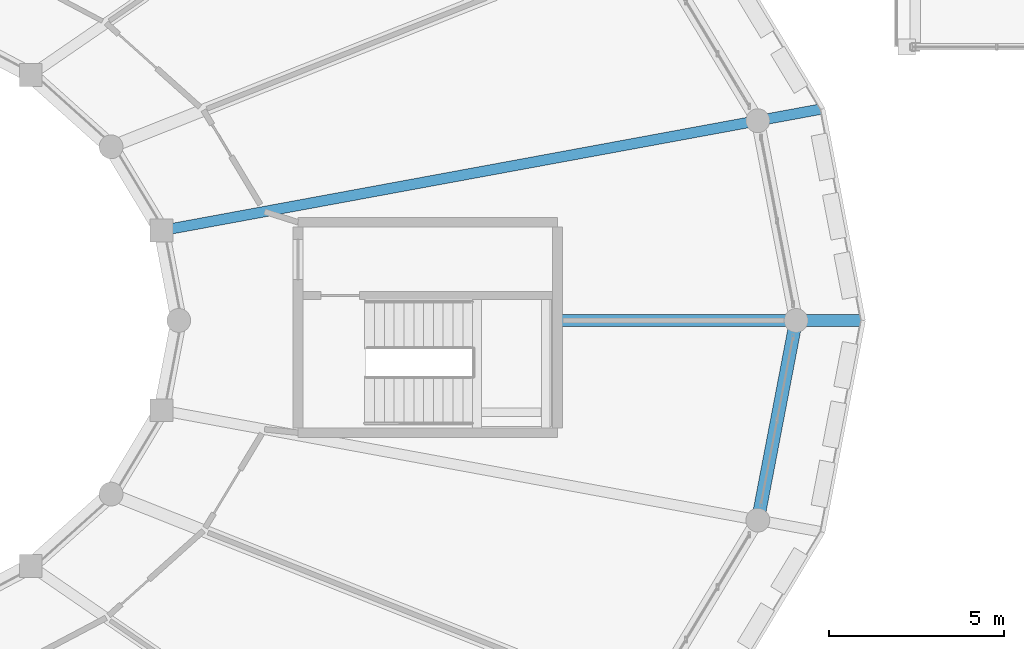
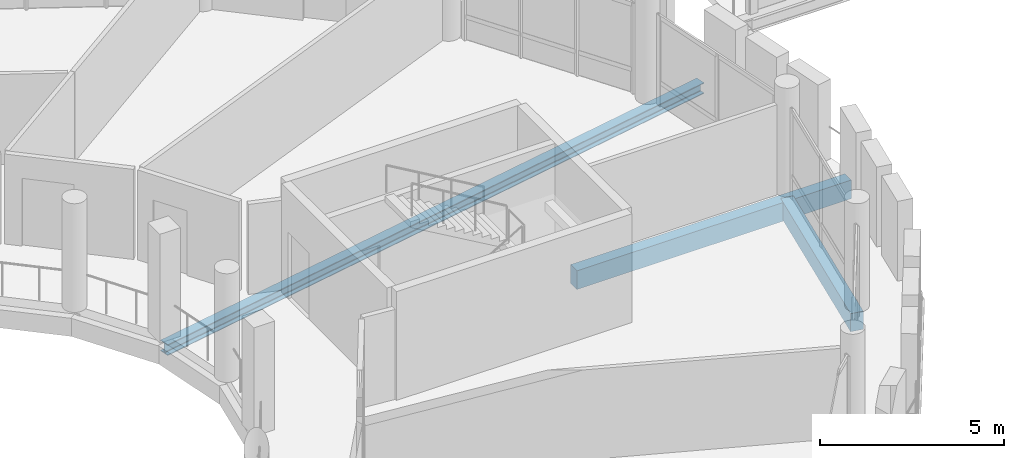
# One storey, part 55 of 128: 3 beams.
"""IFC4 building model written with IfcOpenShell, lengths in metres."""

from ifc_helpers import new_model, si_unit, direction, frame, origin, origin_2d, place, context, subcontext, project, spatial, rectangle, i_section, extrude, material, material_profile, profile_set, type_object, element, save


model = new_model("IFC4")

# Units and contexts
model_context = context("Model", 3, precision=1e-05, world=origin(), true_north=direction((0.0, 1.0)))
body_context = subcontext(model_context, "Body", "Model", "MODEL_VIEW")
ifc_project = project(units=[si_unit("LENGTHUNIT", "METRE"), si_unit("AREAUNIT", "SQUARE_METRE"), si_unit("VOLUMEUNIT", "CUBIC_METRE"), si_unit("PLANEANGLEUNIT", "RADIAN"), si_unit("MASSUNIT", "GRAM", prefix="KILO")], contexts=[model_context])

# Site, building, storey
site_placement = place(None, origin())
site = spatial("IfcSite", under=ifc_project, at=site_placement, CompositionType="ELEMENT")
building_placement = place(site_placement, origin())
building = spatial("IfcBuilding", under=site, at=building_placement, Name="Zornivar Specialist Clinic", CompositionType="ELEMENT")
storey_placement = place(building_placement, frame((0.0, 0.0, 4.5)))
storey = spatial("IfcBuildingStorey", under=building, at=storey_placement, Name="L01", CompositionType="ELEMENT", Elevation=4.5)

# Beams
ifc_material_1 = material(Name="Concrete C30/37", Category="concrete")
ifc_material_profile_1 = material_profile(ifc_material_1, rectangle(XDim=0.35009765625, YDim=0.6201171875, at=origin_2d()), Name="RC 350x620")
ifc_profile_set_1 = profile_set([ifc_material_profile_1], Name="Concrete C30/37")
beam_type_1 = type_object("IfcBeamType", Name="BM-RC-CANT-350x620", PredefinedType="BEAM", material=ifc_profile_set_1)
beam_1_placement = place(storey_placement, frame((118.89990234375, 57.60009765625, -0.550048828125), z_axis=(1.0, 0.0, 0.0), x_axis=(0.0, 1.0, 0.0)))
element("IfcBeam", 1, at=beam_1_placement, inside=storey, type_object=beam_type_1, Name="bm:V1:L01:radcant:00", PredefinedType="BEAM", context=body_context, shape_type="SweptSolid", body=[
    extrude(rectangle(XDim=0.35009765625, YDim=0.6201171875, at=origin_2d()), origin(), (0.0, 0.0, 1.0), 8.6201171875),
])
ifc_material_2 = material(Name="Concrete C30/37", Category="concrete")
ifc_material_profile_2 = material_profile(ifc_material_2, rectangle(XDim=0.3701171875, YDim=0.60009765625, at=origin_2d()), Name="RC 370x600")
ifc_profile_set_2 = profile_set([ifc_material_profile_2], Name="Concrete C30/37")
beam_type_2 = type_object("IfcBeamType", Name="BM-RC-SPANDREL-370x600", PredefinedType="SPANDREL", material=ifc_profile_set_2)
beam_2_placement = place(storey_placement, frame((124.510009765625, 51.906005859375, -0.5400390625), z_axis=(0.188027327263, 0.982163797033, 0.0), x_axis=(-0.982163797033, 0.188027327263, 0.0)))
element("IfcBeam", 2, at=beam_2_placement, inside=storey, type_object=beam_type_2, Name="bm:V1:L01:outring:23", PredefinedType="SPANDREL", context=body_context, shape_type="SweptSolid", body=[
    extrude(rectangle(XDim=0.3701171875, YDim=0.60009765625, at=origin_2d()), origin(), (0.0, 0.0, 1.0), 5.797607421875),
])
ifc_material_3 = material(Name="Steel S355J2", Category="steel")
ifc_material_profile_3 = material_profile(ifc_material_3, i_section(OverallWidth=0.300048828125, OverallDepth=0.360107421875, WebThickness=0.012451171875, FlangeThickness=0.0224609375, FilletRadius=0.027099609375, at=origin_2d()), Name="HEB 360")
ifc_profile_set_3 = profile_set([ifc_material_profile_3], Name="Steel S355J2")
beam_type_3 = type_object("IfcBeamType", Name="BM-STL-HEB360", PredefinedType="BEAM", material=ifc_profile_set_3)
beam_3_placement = place(storey_placement, frame((107.509033203125, 60.162109375, -0.469970703125), z_axis=(0.983447695369, 0.18119224728, 0.0), x_axis=(-0.18119224728, 0.983447695369, 0.0)))
element("IfcBeam", 3, at=beam_3_placement, inside=storey, type_object=beam_type_3, Name="bm:V1:L01:radmid:01", PredefinedType="BEAM", context=body_context, shape_type="SweptSolid", body=[
    extrude(i_section(OverallWidth=0.300048828125, OverallDepth=0.360107421875, WebThickness=0.012451171875, FlangeThickness=0.0224609375, FilletRadius=0.027099609375, at=origin_2d()), origin(), (0.0, 0.0, 1.0), 19.17236328125),
])

save(model, "model.ifc")
